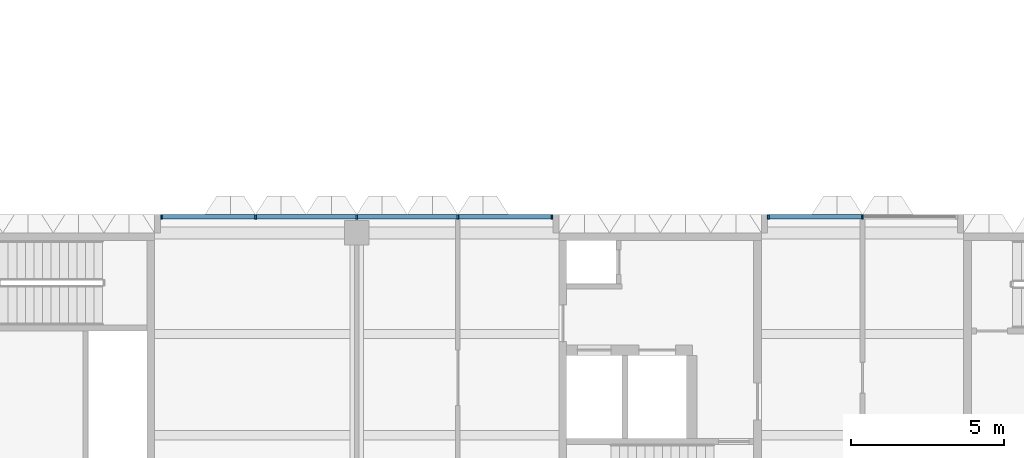
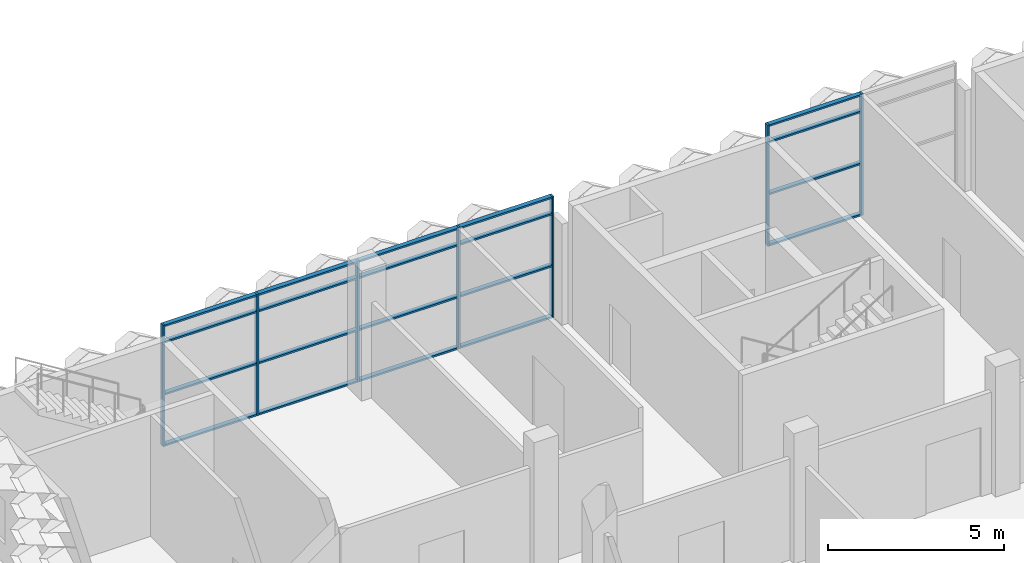
# One storey, part 9 of 102: 27 members, 2 elements without a shape of their own.
"""IFC4 building model written with IfcOpenShell, lengths in metres."""

from ifc_helpers import new_model, si_unit, direction, frame, origin, origin_2d, place, context, subcontext, project, spatial, rectangle, extrude, material, material_profile, profile_set, type_object, element, aggregate, save


model = new_model("IFC4")

# Units and contexts
model_context = context("Model", 3, precision=1e-05, world=origin(), true_north=direction((0.0, 1.0)))
body_context = subcontext(model_context, "Body", "Model", "MODEL_VIEW")
ifc_project = project(units=[si_unit("LENGTHUNIT", "METRE"), si_unit("AREAUNIT", "SQUARE_METRE"), si_unit("VOLUMEUNIT", "CUBIC_METRE"), si_unit("PLANEANGLEUNIT", "RADIAN"), si_unit("MASSUNIT", "GRAM", prefix="KILO")], contexts=[model_context])

# Site, building, storey
site_placement = place(None, origin())
site = spatial("IfcSite", under=ifc_project, at=site_placement, CompositionType="ELEMENT")
building_placement = place(site_placement, origin())
building = spatial("IfcBuilding", under=site, at=building_placement, Name="Lantern Court Research Institute", CompositionType="ELEMENT")
storey_placement = place(building_placement, frame((0.0, 0.0, 9.89990234375)))
storey = spatial("IfcBuildingStorey", under=building, at=storey_placement, Name="L02", CompositionType="ELEMENT", Elevation=9.89990234375)

# Curtain wall, members
ifc_material_1 = material(Name="Aluminium alloy 6063-T6", Category="aluminium")
curtain_wall_type_1 = type_object("IfcCurtainWallType", Name="Curtain wall 12800 x 4200 x 150 aluminium frame", PredefinedType="NOTDEFINED", material=ifc_material_1)
curtain_wall_1_placement = place(storey_placement, origin())
curtain_wall_1 = element("IfcCurtainWall", 1, at=curtain_wall_1_placement, inside=storey, type_object=curtain_wall_type_1, Name="Curtain wall CW039", PredefinedType="NOTDEFINED")
ifc_material_2 = material(Name="Aluminium alloy 6063-T6", Category="aluminium")
ifc_material_profile_1 = material_profile(ifc_material_2, rectangle(XDim=0.14990234375, YDim=0.06005859375, at=origin_2d()), Name="Mullion 150 x 60")
ifc_profile_set_1 = profile_set([ifc_material_profile_1], Name="Aluminium alloy 6063-T6")
member_type_1 = type_object("IfcMemberType", Name="Mullion 150 x 60 aluminium", PredefinedType="MULLION", material=ifc_profile_set_1)
member_1_placement = place(storey_placement, frame((6.830078125, 23.625, 0.0), z_axis=(0.0, 0.0, 1.0), x_axis=(0.0, 1.0, 0.0)))
member_1 = element("IfcMember", 2, at=member_1_placement, type_object=member_type_1, Name="CW039 mullion 1", PredefinedType="MULLION", context=body_context, shape_type="SweptSolid", body=[
    extrude(rectangle(XDim=0.14990234375, YDim=0.06005859375, at=origin_2d()), origin(), (0.0, 0.0, 1.0), 4.2001953125),
])
member_2_placement = place(storey_placement, frame((9.89990234375, 23.625, 0.0), z_axis=(0.0, 0.0, 1.0), x_axis=(0.0, 1.0, 0.0)))
member_2 = element("IfcMember", 3, at=member_2_placement, type_object=member_type_1, Name="CW039 mullion 2", PredefinedType="MULLION", context=body_context, shape_type="SweptSolid", body=[
    extrude(rectangle(XDim=0.14990234375, YDim=0.06005859375, at=origin_2d()), origin(), (0.0, 0.0, 1.0), 4.2001953125),
])
member_3_placement = place(storey_placement, frame((13.199951171875, 23.625, 0.0), z_axis=(0.0, 0.0, 1.0), x_axis=(0.0, 1.0, 0.0)))
member_3 = element("IfcMember", 4, at=member_3_placement, type_object=member_type_1, Name="CW039 mullion 3", PredefinedType="MULLION", context=body_context, shape_type="SweptSolid", body=[
    extrude(rectangle(XDim=0.14990234375, YDim=0.06005859375, at=origin_2d()), origin(), (0.0, 0.0, 1.0), 4.2001953125),
])
member_4_placement = place(storey_placement, frame((16.5, 23.625, 0.0), z_axis=(0.0, 0.0, 1.0), x_axis=(0.0, 1.0, 0.0)))
member_4 = element("IfcMember", 5, at=member_4_placement, type_object=member_type_1, Name="CW039 mullion 4", PredefinedType="MULLION", context=body_context, shape_type="SweptSolid", body=[
    extrude(rectangle(XDim=0.14990234375, YDim=0.06005859375, at=origin_2d()), origin(), (0.0, 0.0, 1.0), 4.2001953125),
])
member_5_placement = place(storey_placement, frame((19.570068359375, 23.625, 0.0), z_axis=(0.0, 0.0, 1.0), x_axis=(0.0, 1.0, 0.0)))
member_5 = element("IfcMember", 6, at=member_5_placement, type_object=member_type_1, Name="CW039 mullion 5", PredefinedType="MULLION", context=body_context, shape_type="SweptSolid", body=[
    extrude(rectangle(XDim=0.14990234375, YDim=0.06005859375, at=origin_2d()), origin(), (0.0, 0.0, 1.0), 4.2001953125),
])

ifc_material_3 = material(Name="Aluminium alloy 6063-T6", Category="aluminium")
curtain_wall_type_2 = type_object("IfcCurtainWallType", Name="Curtain wall 6200 x 4200 x 150 aluminium frame", PredefinedType="NOTDEFINED", material=ifc_material_3)
curtain_wall_2_placement = place(storey_placement, origin())
curtain_wall_2 = element("IfcCurtainWall", 7, at=curtain_wall_2_placement, inside=storey, type_object=curtain_wall_type_2, Name="Curtain wall CW040", PredefinedType="NOTDEFINED")
member_6_placement = place(storey_placement, frame((26.6298828125, 23.625, 0.0), z_axis=(0.0, 0.0, 1.0), x_axis=(0.0, 1.0, 0.0)))
member_6 = element("IfcMember", 8, at=member_6_placement, type_object=member_type_1, Name="CW040 mullion 1", PredefinedType="MULLION", context=body_context, shape_type="SweptSolid", body=[
    extrude(rectangle(XDim=0.14990234375, YDim=0.06005859375, at=origin_2d()), origin(), (0.0, 0.0, 1.0), 4.2001953125),
])
member_7_placement = place(storey_placement, frame((29.699951171875, 23.625, 0.0), z_axis=(0.0, 0.0, 1.0), x_axis=(0.0, 1.0, 0.0)))
member_7 = element("IfcMember", 9, at=member_7_placement, type_object=member_type_1, Name="CW040 mullion 2", PredefinedType="MULLION", context=body_context, shape_type="SweptSolid", body=[
    extrude(rectangle(XDim=0.14990234375, YDim=0.06005859375, at=origin_2d()), origin(), (0.0, 0.0, 1.0), 4.2001953125),
])

# Member
ifc_material_4 = material(Name="Aluminium alloy 6063-T6", Category="aluminium")
ifc_material_profile_2 = material_profile(ifc_material_4, rectangle(XDim=0.14990234375, YDim=0.06005859375, at=origin_2d()), Name="Transom 150 x 60")
ifc_profile_set_2 = profile_set([ifc_material_profile_2], Name="Aluminium alloy 6063-T6")
member_type_2 = type_object("IfcMemberType", Name="Transom 150 x 60 aluminium", PredefinedType="USERDEFINED", material=ifc_profile_set_2)
member_8_placement = place(storey_placement, frame((6.860107421875, 23.625, 0.030029296875), z_axis=(1.0, 0.0, 0.0), x_axis=(0.0, 1.0, 0.0)))
member_8 = element("IfcMember", 10, at=member_8_placement, type_object=member_type_2, Name="CW039 transom 1.1", ObjectType="TRANSOM", PredefinedType="USERDEFINED", context=body_context, shape_type="SweptSolid", body=[
    extrude(rectangle(XDim=0.14990234375, YDim=0.06005859375, at=origin_2d()), origin(), (0.0, 0.0, 1.0), 3.010009765625),
])

member_9_placement = place(storey_placement, frame((6.860107421875, 23.625, 1.800048828125), z_axis=(1.0, 0.0, 0.0), x_axis=(0.0, 1.0, 0.0)))
member_9 = element("IfcMember", 11, at=member_9_placement, type_object=member_type_2, Name="CW039 transom 1.2", ObjectType="TRANSOM", PredefinedType="USERDEFINED", context=body_context, shape_type="SweptSolid", body=[
    extrude(rectangle(XDim=0.14990234375, YDim=0.06005859375, at=origin_2d()), origin(), (0.0, 0.0, 1.0), 3.010009765625),
])

member_10_placement = place(storey_placement, frame((6.860107421875, 23.625, 3.60009765625), z_axis=(1.0, 0.0, 0.0), x_axis=(0.0, 1.0, 0.0)))
member_10 = element("IfcMember", 12, at=member_10_placement, type_object=member_type_2, Name="CW039 transom 1.3", ObjectType="TRANSOM", PredefinedType="USERDEFINED", context=body_context, shape_type="SweptSolid", body=[
    extrude(rectangle(XDim=0.14990234375, YDim=0.06005859375, at=origin_2d()), origin(), (0.0, 0.0, 1.0), 3.010009765625),
])

member_11_placement = place(storey_placement, frame((6.860107421875, 23.625, 4.170166015625), z_axis=(1.0, 0.0, 0.0), x_axis=(0.0, 1.0, 0.0)))
member_11 = element("IfcMember", 13, at=member_11_placement, type_object=member_type_2, Name="CW039 transom 1.4", ObjectType="TRANSOM", PredefinedType="USERDEFINED", context=body_context, shape_type="SweptSolid", body=[
    extrude(rectangle(XDim=0.14990234375, YDim=0.06005859375, at=origin_2d()), origin(), (0.0, 0.0, 1.0), 3.010009765625),
])

member_12_placement = place(storey_placement, frame((9.929931640625, 23.625, 0.030029296875), z_axis=(1.0, 0.0, 0.0), x_axis=(0.0, 1.0, 0.0)))
member_12 = element("IfcMember", 14, at=member_12_placement, type_object=member_type_2, Name="CW039 transom 2.1", ObjectType="TRANSOM", PredefinedType="USERDEFINED", context=body_context, shape_type="SweptSolid", body=[
    extrude(rectangle(XDim=0.14990234375, YDim=0.06005859375, at=origin_2d()), origin(), (0.0, 0.0, 1.0), 3.239990234375),
])

member_13_placement = place(storey_placement, frame((9.929931640625, 23.625, 1.800048828125), z_axis=(1.0, 0.0, 0.0), x_axis=(0.0, 1.0, 0.0)))
member_13 = element("IfcMember", 15, at=member_13_placement, type_object=member_type_2, Name="CW039 transom 2.2", ObjectType="TRANSOM", PredefinedType="USERDEFINED", context=body_context, shape_type="SweptSolid", body=[
    extrude(rectangle(XDim=0.14990234375, YDim=0.06005859375, at=origin_2d()), origin(), (0.0, 0.0, 1.0), 3.239990234375),
])

member_14_placement = place(storey_placement, frame((9.929931640625, 23.625, 3.60009765625), z_axis=(1.0, 0.0, 0.0), x_axis=(0.0, 1.0, 0.0)))
member_14 = element("IfcMember", 16, at=member_14_placement, type_object=member_type_2, Name="CW039 transom 2.3", ObjectType="TRANSOM", PredefinedType="USERDEFINED", context=body_context, shape_type="SweptSolid", body=[
    extrude(rectangle(XDim=0.14990234375, YDim=0.06005859375, at=origin_2d()), origin(), (0.0, 0.0, 1.0), 3.239990234375),
])

member_15_placement = place(storey_placement, frame((9.929931640625, 23.625, 4.170166015625), z_axis=(1.0, 0.0, 0.0), x_axis=(0.0, 1.0, 0.0)))
member_15 = element("IfcMember", 17, at=member_15_placement, type_object=member_type_2, Name="CW039 transom 2.4", ObjectType="TRANSOM", PredefinedType="USERDEFINED", context=body_context, shape_type="SweptSolid", body=[
    extrude(rectangle(XDim=0.14990234375, YDim=0.06005859375, at=origin_2d()), origin(), (0.0, 0.0, 1.0), 3.239990234375),
])

member_16_placement = place(storey_placement, frame((13.22998046875, 23.625, 0.030029296875), z_axis=(1.0, 0.0, 0.0), x_axis=(0.0, 1.0, 0.0)))
member_16 = element("IfcMember", 18, at=member_16_placement, type_object=member_type_2, Name="CW039 transom 3.1", ObjectType="TRANSOM", PredefinedType="USERDEFINED", context=body_context, shape_type="SweptSolid", body=[
    extrude(rectangle(XDim=0.14990234375, YDim=0.06005859375, at=origin_2d()), origin(), (0.0, 0.0, 1.0), 3.239990234375),
])

member_17_placement = place(storey_placement, frame((13.22998046875, 23.625, 1.800048828125), z_axis=(1.0, 0.0, 0.0), x_axis=(0.0, 1.0, 0.0)))
member_17 = element("IfcMember", 19, at=member_17_placement, type_object=member_type_2, Name="CW039 transom 3.2", ObjectType="TRANSOM", PredefinedType="USERDEFINED", context=body_context, shape_type="SweptSolid", body=[
    extrude(rectangle(XDim=0.14990234375, YDim=0.06005859375, at=origin_2d()), origin(), (0.0, 0.0, 1.0), 3.239990234375),
])

member_18_placement = place(storey_placement, frame((13.22998046875, 23.625, 3.60009765625), z_axis=(1.0, 0.0, 0.0), x_axis=(0.0, 1.0, 0.0)))
member_18 = element("IfcMember", 20, at=member_18_placement, type_object=member_type_2, Name="CW039 transom 3.3", ObjectType="TRANSOM", PredefinedType="USERDEFINED", context=body_context, shape_type="SweptSolid", body=[
    extrude(rectangle(XDim=0.14990234375, YDim=0.06005859375, at=origin_2d()), origin(), (0.0, 0.0, 1.0), 3.239990234375),
])

member_19_placement = place(storey_placement, frame((13.22998046875, 23.625, 4.170166015625), z_axis=(1.0, 0.0, 0.0), x_axis=(0.0, 1.0, 0.0)))
member_19 = element("IfcMember", 21, at=member_19_placement, type_object=member_type_2, Name="CW039 transom 3.4", ObjectType="TRANSOM", PredefinedType="USERDEFINED", context=body_context, shape_type="SweptSolid", body=[
    extrude(rectangle(XDim=0.14990234375, YDim=0.06005859375, at=origin_2d()), origin(), (0.0, 0.0, 1.0), 3.239990234375),
])

member_20_placement = place(storey_placement, frame((16.530029296875, 23.625, 0.030029296875), z_axis=(1.0, 0.0, 0.0), x_axis=(0.0, 1.0, 0.0)))
member_20 = element("IfcMember", 22, at=member_20_placement, type_object=member_type_2, Name="CW039 transom 4.1", ObjectType="TRANSOM", PredefinedType="USERDEFINED", context=body_context, shape_type="SweptSolid", body=[
    extrude(rectangle(XDim=0.14990234375, YDim=0.06005859375, at=origin_2d()), origin(), (0.0, 0.0, 1.0), 3.010009765625),
])

member_21_placement = place(storey_placement, frame((16.530029296875, 23.625, 1.800048828125), z_axis=(1.0, 0.0, 0.0), x_axis=(0.0, 1.0, 0.0)))
member_21 = element("IfcMember", 23, at=member_21_placement, type_object=member_type_2, Name="CW039 transom 4.2", ObjectType="TRANSOM", PredefinedType="USERDEFINED", context=body_context, shape_type="SweptSolid", body=[
    extrude(rectangle(XDim=0.14990234375, YDim=0.06005859375, at=origin_2d()), origin(), (0.0, 0.0, 1.0), 3.010009765625),
])

member_22_placement = place(storey_placement, frame((16.530029296875, 23.625, 3.60009765625), z_axis=(1.0, 0.0, 0.0), x_axis=(0.0, 1.0, 0.0)))
member_22 = element("IfcMember", 24, at=member_22_placement, type_object=member_type_2, Name="CW039 transom 4.3", ObjectType="TRANSOM", PredefinedType="USERDEFINED", context=body_context, shape_type="SweptSolid", body=[
    extrude(rectangle(XDim=0.14990234375, YDim=0.06005859375, at=origin_2d()), origin(), (0.0, 0.0, 1.0), 3.010009765625),
])

member_23_placement = place(storey_placement, frame((16.530029296875, 23.625, 4.170166015625), z_axis=(1.0, 0.0, 0.0), x_axis=(0.0, 1.0, 0.0)))
member_23 = element("IfcMember", 25, at=member_23_placement, type_object=member_type_2, Name="CW039 transom 4.4", ObjectType="TRANSOM", PredefinedType="USERDEFINED", context=body_context, shape_type="SweptSolid", body=[
    extrude(rectangle(XDim=0.14990234375, YDim=0.06005859375, at=origin_2d()), origin(), (0.0, 0.0, 1.0), 3.010009765625),
])

aggregate(curtain_wall_1, [member_1, member_2, member_3, member_4, member_5, member_8, member_9, member_10, member_11, member_12, member_13, member_14, member_15, member_16, member_17, member_18, member_19, member_20, member_21, member_22, member_23])

member_24_placement = place(storey_placement, frame((26.659912109375, 23.625, 0.030029296875), z_axis=(1.0, 0.0, 0.0), x_axis=(0.0, 1.0, 0.0)))
member_24 = element("IfcMember", 26, at=member_24_placement, type_object=member_type_2, Name="CW040 transom 1.1", ObjectType="TRANSOM", PredefinedType="USERDEFINED", context=body_context, shape_type="SweptSolid", body=[
    extrude(rectangle(XDim=0.14990234375, YDim=0.06005859375, at=origin_2d()), origin(), (0.0, 0.0, 1.0), 3.010009765625),
])

member_25_placement = place(storey_placement, frame((26.659912109375, 23.625, 1.800048828125), z_axis=(1.0, 0.0, 0.0), x_axis=(0.0, 1.0, 0.0)))
member_25 = element("IfcMember", 27, at=member_25_placement, type_object=member_type_2, Name="CW040 transom 1.2", ObjectType="TRANSOM", PredefinedType="USERDEFINED", context=body_context, shape_type="SweptSolid", body=[
    extrude(rectangle(XDim=0.14990234375, YDim=0.06005859375, at=origin_2d()), origin(), (0.0, 0.0, 1.0), 3.010009765625),
])

member_26_placement = place(storey_placement, frame((26.659912109375, 23.625, 3.60009765625), z_axis=(1.0, 0.0, 0.0), x_axis=(0.0, 1.0, 0.0)))
member_26 = element("IfcMember", 28, at=member_26_placement, type_object=member_type_2, Name="CW040 transom 1.3", ObjectType="TRANSOM", PredefinedType="USERDEFINED", context=body_context, shape_type="SweptSolid", body=[
    extrude(rectangle(XDim=0.14990234375, YDim=0.06005859375, at=origin_2d()), origin(), (0.0, 0.0, 1.0), 3.010009765625),
])

member_27_placement = place(storey_placement, frame((26.659912109375, 23.625, 4.170166015625), z_axis=(1.0, 0.0, 0.0), x_axis=(0.0, 1.0, 0.0)))
member_27 = element("IfcMember", 29, at=member_27_placement, type_object=member_type_2, Name="CW040 transom 1.4", ObjectType="TRANSOM", PredefinedType="USERDEFINED", context=body_context, shape_type="SweptSolid", body=[
    extrude(rectangle(XDim=0.14990234375, YDim=0.06005859375, at=origin_2d()), origin(), (0.0, 0.0, 1.0), 3.010009765625),
])

aggregate(curtain_wall_2, [member_6, member_7, member_24, member_25, member_26, member_27])

save(model, "model.ifc")
